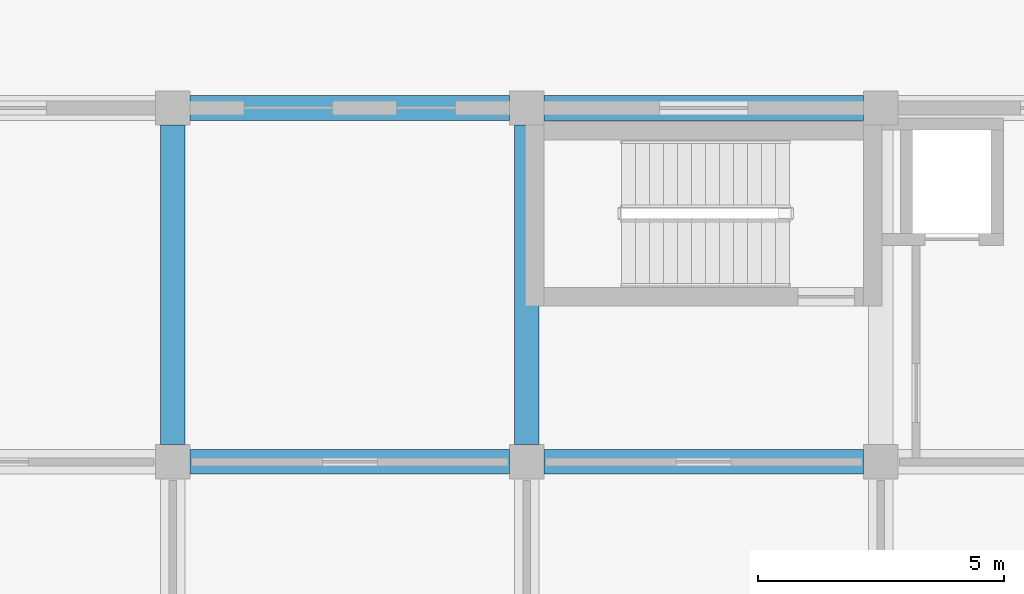
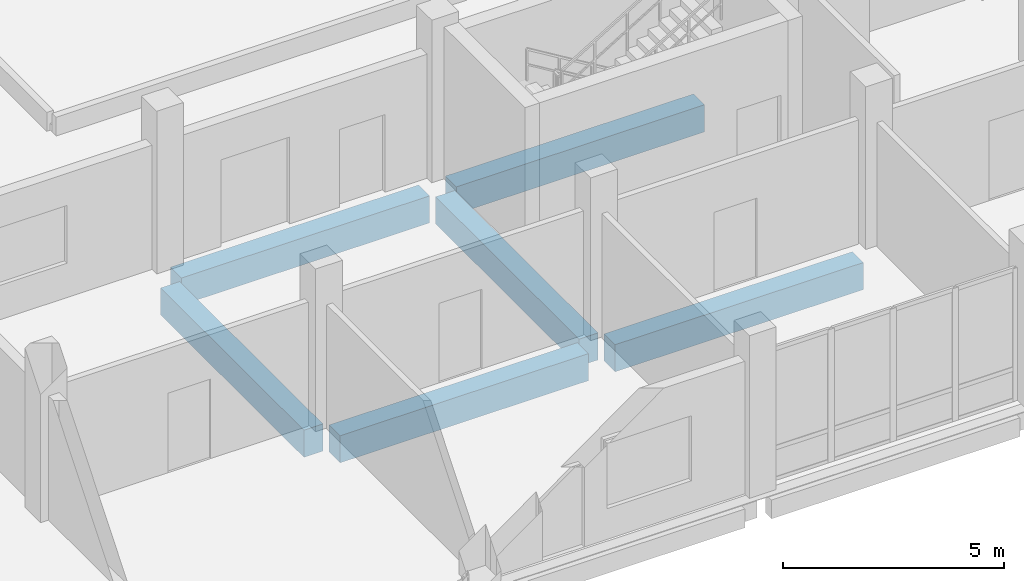
# One storey, part 69 of 139: 6 beams.
"""IFC4 building model written with IfcOpenShell, lengths in metres."""

from ifc_helpers import new_model, si_unit, direction, frame, origin, origin_2d, place, context, subcontext, project, spatial, rectangle, extrude, material, material_profile, profile_set, type_object, element, save


model = new_model("IFC4")

# Units and contexts
model_context = context("Model", 3, precision=1e-05, world=origin(), true_north=direction((0.0, 1.0)))
body_context = subcontext(model_context, "Body", "Model", "MODEL_VIEW")
ifc_project = project(units=[si_unit("LENGTHUNIT", "METRE"), si_unit("AREAUNIT", "SQUARE_METRE"), si_unit("VOLUMEUNIT", "CUBIC_METRE"), si_unit("PLANEANGLEUNIT", "RADIAN"), si_unit("MASSUNIT", "GRAM", prefix="KILO")], contexts=[model_context])

# Site, building, storey
site_placement = place(None, origin())
site = spatial("IfcSite", under=ifc_project, at=site_placement, CompositionType="ELEMENT")
building_placement = place(site_placement, origin())
building = spatial("IfcBuilding", under=site, at=building_placement, Name="Suanplinth Sawtooth Commons", CompositionType="ELEMENT")
storey_placement = place(building_placement, origin())
storey = spatial("IfcBuildingStorey", under=building, at=storey_placement, Name="L00", CompositionType="ELEMENT", Elevation=0.0)

# Beams
ifc_material = material(Name="Concrete C40/50", Category="concrete")
ifc_material_profile = material_profile(ifc_material, rectangle(XDim=0.5, YDim=0.75, at=origin_2d()), Name="RC-GDR 500x750")
ifc_profile_set = profile_set([ifc_material_profile], Name="Concrete C40/50")
beam_type = type_object("IfcBeamType", Name="B-03", PredefinedType="USERDEFINED", material=ifc_profile_set)
for number, where, z_axis, x_axis, name in (
    (1, (129.949951171875, 7.199951171875, -0.794921875), (1.0, 0.0, 0.0), (0.0, 1.0, 0.0), "BMX-L00-C-18-1"),
    (2, (129.949951171875, 14.39990234375, -0.794921875), (1.0, 0.0, 0.0), (0.0, 1.0, 0.0), "BMX-L00-C-18-2"),
    (3, (137.14990234375, 7.199951171875, -0.794921875), (1.0, 0.0, 0.0), (0.0, 1.0, 0.0), "BMX-L00-C-19-1"),
    (4, (137.14990234375, 14.39990234375, -0.794921875), (1.0, 0.0, 0.0), (0.0, 1.0, 0.0), "BMX-L00-C-19-2"),
    (5, (129.60009765625, 7.550048828125, -0.794921875), (0.0, 1.0, 0.0), (-1.0, 0.0, 0.0), "BMY-L00-C-18-1"),
    (6, (136.800048828125, 7.550048828125, -0.794921875), (0.0, 1.0, 0.0), (-1.0, 0.0, 0.0), "BMY-L00-C-19-1"),
):
    element("IfcBeam", number, at=place(storey_placement, frame(where, z_axis=z_axis, x_axis=x_axis)), inside=storey, type_object=beam_type, Name=name, ObjectType="GIRDER", PredefinedType="USERDEFINED", context=body_context, shape_type="SweptSolid", body=[
        extrude(rectangle(XDim=0.5, YDim=0.75, at=origin_2d()), origin(), (0.0, 0.0, 1.0), 6.5),
    ])

save(model, "model.ifc")
